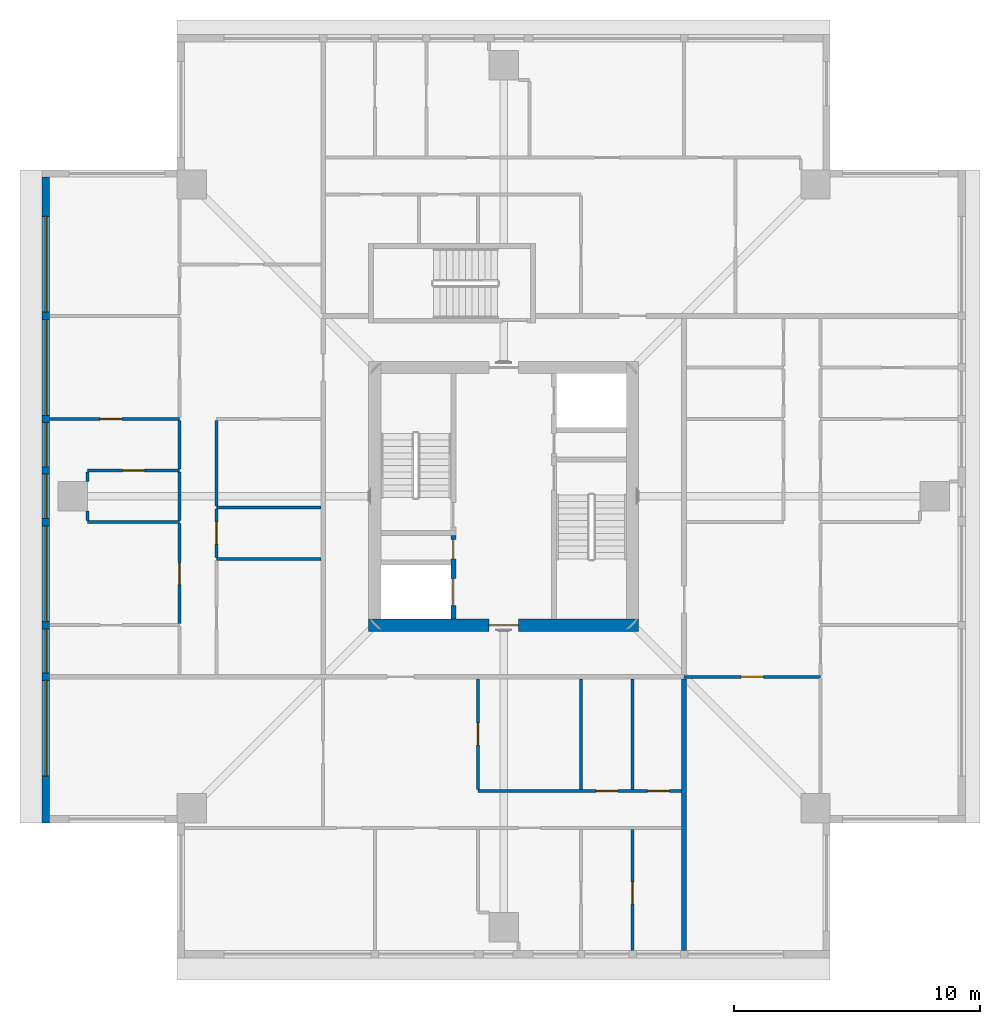
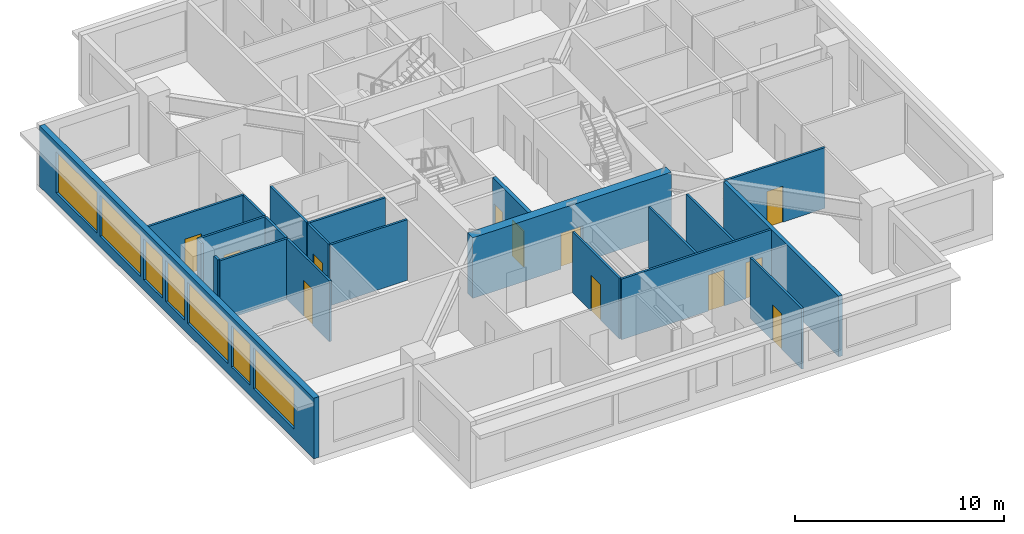
# One storey, part 5 of 11: 22 walls, 12 doors, 7 windows, 19 openings.
"""IFC4 building model written with IfcOpenShell, lengths in metres."""

import ifcopenshell
import ifcopenshell.guid

model = None  # the IFC model being written
_history = None  # IfcOwnerHistory: only IFC2X3 demands one
_inside = {}  # id of a spatial element -> (the spatial element, [elements in it])
_under = {}  # id of a project, library or spatial element -> (it, [spatial elements below it])
_declared = {}  # id of a project -> (the project, [libraries it declares])
_typed = {}  # id of a type object -> (the type object, [elements of that type])
_made_of = {}  # id of a material, layer set ... -> (it, [elements and type objects made of it])


def new_model(schema):
    """Start an empty IFC model of exactly this schema.

    Asked for "IFC4X3", IfcOpenShell would pick the latest addendum, in which some entities
    have other attributes; the version numbers below select the first issue.
    IFC2X3 requires an IfcOwnerHistory on every rooted entity: one is made here for all.
    """
    global model, _history
    if schema == "IFC4X3":
        model = ifcopenshell.file(schema_version=(4, 3, 0, 0))
    else:
        model = ifcopenshell.file(schema=schema)
    _inside.clear()
    _under.clear()
    _declared.clear()
    _typed.clear()
    _made_of.clear()
    _history = None
    if model.schema == "IFC2X3":
        org = make("IfcOrganization", Name="unknown")
        user = make(
            "IfcPersonAndOrganization",
            ThePerson=make("IfcPerson", FamilyName="unknown"),
            TheOrganization=org,
        )
        app = make(
            "IfcApplication",
            ApplicationDeveloper=org,
            Version="unknown",
            ApplicationFullName="unknown",
            ApplicationIdentifier="unknown",
        )
        _history = make(
            "IfcOwnerHistory",
            OwningUser=user,
            OwningApplication=app,
            ChangeAction="ADDED",
            CreationDate=0,
        )
    return model


def make(cls, **values):
    """One entity of the class cls with the attributes given. An attribute that is None is left unset."""
    return model.create_entity(
        cls, **{name: value for name, value in values.items() if value is not None}
    )


def rooted(cls, **values):
    """An entity with a GlobalId (a new one), such as an element, a storey or a relation."""
    return make(cls, GlobalId=ifcopenshell.guid.new(), OwnerHistory=_history, **values)


def si_unit(unit_type, name, prefix=None):
    """IfcSIUnit, for example si_unit("LENGTHUNIT", "METRE", prefix="MILLI")."""
    return make("IfcSIUnit", UnitType=unit_type, Prefix=prefix, Name=name)


def assignment(units):
    """IfcUnitAssignment: the units of a project."""
    return None if units is None else make("IfcUnitAssignment", Units=units)


def point(xyz):
    """IfcCartesianPoint."""
    return None if xyz is None else make("IfcCartesianPoint", Coordinates=xyz)


def direction(xyz):
    """IfcDirection."""
    return None if xyz is None else make("IfcDirection", DirectionRatios=xyz)


def frame(location, z_axis=None, x_axis=None):
    """IfcAxis2Placement3D, a coordinate frame: its origin and axes. An axis left out is left unset."""
    return make(
        "IfcAxis2Placement3D",
        Location=point(location),
        Axis=direction(z_axis),
        RefDirection=direction(x_axis),
    )


def frame_2d(location, x_axis=None):
    """IfcAxis2Placement2D, a coordinate frame in the plane: its origin and x axis."""
    return make(
        "IfcAxis2Placement2D", Location=point(location), RefDirection=direction(x_axis)
    )


def origin():
    """The frame at (0, 0, 0) with its axes left unset."""
    return frame((0.0, 0.0, 0.0))


def place(relative_to, where):
    """IfcLocalPlacement: puts the frame where relative to a parent placement (None: the world)."""
    return make(
        "IfcLocalPlacement", PlacementRelTo=relative_to, RelativePlacement=where
    )


def context(
    kind, dimensions, precision=None, world=None, true_north=None, identifier=None
):
    """IfcGeometricRepresentationContext, for example the 3D "Model" context."""
    return make(
        "IfcGeometricRepresentationContext",
        ContextIdentifier=identifier,
        ContextType=kind,
        CoordinateSpaceDimension=dimensions,
        Precision=precision,
        WorldCoordinateSystem=world,
        TrueNorth=true_north,
    )


def subcontext(parent, identifier, kind, view, scale=None):
    """IfcGeometricRepresentationSubContext, for example "Body" below "Model"."""
    return make(
        "IfcGeometricRepresentationSubContext",
        ContextIdentifier=identifier,
        ContextType=kind,
        ParentContext=parent,
        TargetScale=scale,
        TargetView=view,
    )


def project(units=None, contexts=None):
    """IfcProject with its units and contexts."""
    return rooted(
        "IfcProject",
        Name="project",
        RepresentationContexts=contexts,
        UnitsInContext=assignment(units),
    )


def spatial(cls, under=None, at=None, **own):
    """A site, building, storey or space (cls), placed at a placement, below another one or the project."""
    s = rooted(cls, ObjectPlacement=at, **own)
    if under is not None:
        _under.setdefault(under.id(), (under, []))[1].append(s)
    return s


def profile(cls, at=None, kind="AREA", **sizes):
    """A parametric profile (cls). Its sizes go by their IFC names, for example OverallWidth=200.0."""
    return make(cls, ProfileType=kind, Position=at, **sizes)


def rectangle(**sizes):
    """IfcRectangleProfileDef."""
    return profile("IfcRectangleProfileDef", **sizes)


def extrude(swept, where, along, depth):
    """IfcExtrudedAreaSolid: the profile swept, set in the frame where, extruded along a direction by depth."""
    return make(
        "IfcExtrudedAreaSolid",
        SweptArea=swept,
        Position=where,
        ExtrudedDirection=direction(along),
        Depth=depth,
    )


def shape(context_of_items, identifier, shape_type, items):
    """IfcShapeRepresentation: the items that make up one representation, for example the "Body"."""
    return make(
        "IfcShapeRepresentation",
        ContextOfItems=context_of_items,
        RepresentationIdentifier=identifier,
        RepresentationType=shape_type,
        Items=items,
    )


def material(Name=None, Category=None):
    """IfcMaterial."""
    return make("IfcMaterial", Name=Name, Category=Category)


def layer(
    of_material, thickness, ventilated=None, Name=None, Category=None, Priority=None
):
    """IfcMaterialLayer: one layer of a wall or slab, of a material (None: an air gap)."""
    return make(
        "IfcMaterialLayer",
        Material=of_material,
        LayerThickness=thickness,
        IsVentilated=ventilated,
        Name=Name,
        Category=Category,
        Priority=Priority,
    )


def layer_set(layers, Name=None):
    """IfcMaterialLayerSet."""
    return make("IfcMaterialLayerSet", MaterialLayers=layers, LayerSetName=Name)


def made_of(thing, what):
    """Note that an element or type object is made of a material, layer set ...; save() writes the relation."""
    if what is not None:
        _made_of.setdefault(what.id(), (what, []))[1].append(thing)
    return thing


def type_object(cls, material=None, **own):
    """A type object (cls), such as IfcWallType, which elements share."""
    return made_of(rooted(cls, **own), material)


def element(
    cls,
    number,
    at=None,
    inside=None,
    cuts=None,
    type_object=None,
    material=None,
    context=None,
    identifier="Body",
    shape_type=None,
    held_by="IfcProductDefinitionShape",
    body=None,
    shapes=None,
    **own,
):
    """One element of the class cls, such as IfcWall. Its Tag is "e" and its number.

    at: its placement. inside: the storey or other place that contains it. cuts: it is an
    opening in that element (IfcRelVoidsElement). A single representation is given by context,
    identifier, shape_type and body (its items); several are given by shapes. held_by: the class
    of the entity that holds the representations. save() writes the other relations.
    """
    e = rooted(cls, Tag="e%d" % number, ObjectPlacement=at, **own)
    if body is not None:
        shapes = [shape(context, identifier, shape_type, body)]
    if shapes is not None:
        e.Representation = make(held_by, Representations=shapes)
    if inside is not None:
        _inside.setdefault(inside.id(), (inside, []))[1].append(e)
    if cuts is not None:
        rooted(
            "IfcRelVoidsElement", RelatingBuildingElement=cuts, RelatedOpeningElement=e
        )
    if type_object is not None:
        _typed.setdefault(type_object.id(), (type_object, []))[1].append(e)
    return made_of(e, material)


def fill(opening, filler):
    """IfcRelFillsElement: the door or window that sits in an opening."""
    return rooted(
        "IfcRelFillsElement",
        RelatingOpeningElement=opening,
        RelatedBuildingElement=filler,
    )


def aggregate(whole, parts):
    """IfcRelAggregates: a whole, such as a stair, and the parts it consists of."""
    return rooted("IfcRelAggregates", RelatingObject=whole, RelatedObjects=parts)


def save(model, path):
    """Write the relations noted so far, then the file.

    IfcRelAggregates (storeys below a building ...), IfcRelContainedInSpatialStructure (elements
    in a storey), IfcRelDefinesByType, IfcRelAssociatesMaterial and IfcRelDeclares: one each for
    every whole, place, type object, material and project.
    """
    for whole, parts in _under.values():
        aggregate(whole, parts)
    for where, things in _inside.values():
        rooted(
            "IfcRelContainedInSpatialStructure",
            RelatedElements=things,
            RelatingStructure=where,
        )
    for kind, things in _typed.values():
        rooted("IfcRelDefinesByType", RelatedObjects=things, RelatingType=kind)
    for what, things in _made_of.values():
        rooted("IfcRelAssociatesMaterial", RelatedObjects=things, RelatingMaterial=what)
    for by, libraries in _declared.values():
        rooted("IfcRelDeclares", RelatingContext=by, RelatedDefinitions=libraries)
    model.write(path)


model = new_model("IFC4")

# Units and contexts
model_context = context("Model", 3, precision=1e-05, world=origin(), true_north=direction((0.0, 1.0)))
body_context = subcontext(model_context, "Body", "Model", "MODEL_VIEW")
ifc_project = project(units=[si_unit("LENGTHUNIT", "METRE"), si_unit("AREAUNIT", "SQUARE_METRE"), si_unit("VOLUMEUNIT", "CUBIC_METRE"), si_unit("PLANEANGLEUNIT", "RADIAN"), si_unit("MASSUNIT", "GRAM", prefix="KILO")], contexts=[model_context])

# Site, building, storey
site_placement = place(None, origin())
site = spatial("IfcSite", under=ifc_project, at=site_placement, CompositionType="ELEMENT")
building_placement = place(site_placement, origin())
building = spatial("IfcBuilding", under=site, at=building_placement, Name="Khepri Terraces", CompositionType="ELEMENT")
storey_placement = place(building_placement, frame((0.0, 0.0, 308.39990234375)))
storey = spatial("IfcBuildingStorey", under=building, at=storey_placement, Name="L74", CompositionType="ELEMENT", Elevation=308.39990234375)

# Wall, openings, doors
ifc_material_1 = material(Name="Concrete C40/50", Category="concrete")
ifc_layer_1 = layer(ifc_material_1, 0.199951171875, Name="Concrete C40/50", Category="concrete")
ifc_layer_set_1 = layer_set([ifc_layer_1], Name="Concrete C40/50")
wall_type_1 = type_object("IfcWallType", Name="Core wall 200 C40/50", PredefinedType="SHEAR", material=ifc_layer_set_1)
wall_1_placement = place(storey_placement, frame((-2.050048828125, -5.0, 0.0), z_axis=(0.0, 0.0, 1.0), x_axis=(0.0, 1.0, 0.0)))
wall_1 = element("IfcWall", 1, at=wall_1_placement, inside=storey, type_object=wall_type_1, Name="Core wall SH01 L74", PredefinedType="SHEAR", context=body_context, shape_type="SweptSolid", body=[
    extrude(rectangle(XDim=3.39990234375, YDim=0.199951171875, at=frame_2d((1.699951171875, 0.0))), origin(), (0.0, 0.0, 1.0), 3.550048828125),
])
opening_1_placement = place(wall_1_placement, frame((0.550048828125, 0.0, 0.0)))
opening_1 = element("IfcOpeningElement", 2, at=opening_1_placement, cuts=wall_1, Name="Opening L74-C02", PredefinedType="OPENING", context=body_context, shape_type="SweptSolid", body=[
    extrude(rectangle(XDim=1.10009765625, YDim=2.10009765625, at=frame_2d((0.550048828125, 1.050048828125))), frame((0.0, 0.10986328125, 0.0), z_axis=(0.0, -1.0, 0.0), x_axis=(1.0, 0.0, 0.0)), (0.0, 0.0, 1.0), 0.219970703125),
])
opening_2_placement = place(wall_1_placement, frame((2.449951171875, 0.0, 0.0)))
opening_2 = element("IfcOpeningElement", 3, at=opening_2_placement, cuts=wall_1, Name="Opening L74-C06", PredefinedType="OPENING", context=body_context, shape_type="SweptSolid", body=[
    extrude(rectangle(XDim=0.800048828125, YDim=2.10009765625, at=frame_2d((0.39990234375, 1.050048828125))), frame((0.0, 0.10986328125, 0.0), z_axis=(0.0, -1.0, 0.0), x_axis=(1.0, 0.0, 0.0)), (0.0, 0.0, 1.0), 0.219970703125),
])
ifc_material_2 = material(Name="Stainless steel 304", Category="steel")
door_type_1 = type_object("IfcDoorType", Name="DR-CORE-FF-LANDING-1100", OperationType="NOTDEFINED", PredefinedType="DOOR", material=ifc_material_2)
door_1_placement = place(opening_1_placement, origin())
door_1 = element("IfcDoor", 4, at=door_1_placement, inside=storey, type_object=door_type_1, Name="Firefighting lift landing door L74-C02", OperationType="SLIDING_TO_LEFT", OverallHeight=2.10009765625, OverallWidth=1.10009765625, PredefinedType="DOOR", context=body_context, shape_type="SweptSolid", body=[
    extrude(rectangle(XDim=1.10009765625, YDim=2.10009765625, at=frame_2d((0.550048828125, 1.050048828125))), frame((0.0, 0.02490234375, 0.0), z_axis=(0.0, -1.0, 0.0), x_axis=(1.0, 0.0, 0.0)), (0.0, 0.0, 1.0), 0.050048828125),
])
fill(opening_1, door_1)
ifc_material_3 = material(Name="Painted steel", Category="steel")
door_type_2 = type_object("IfcDoorType", Name="DR-CORE-RISER-800", OperationType="NOTDEFINED", PredefinedType="DOOR", material=ifc_material_3)
door_2_placement = place(opening_2_placement, origin())
door_2 = element("IfcDoor", 5, at=door_2_placement, inside=storey, type_object=door_type_2, Name="Riser door L74-C06", OperationType="SINGLE_SWING_RIGHT", OverallHeight=2.10009765625, OverallWidth=0.800048828125, PredefinedType="DOOR", context=body_context, shape_type="SweptSolid", body=[
    extrude(rectangle(XDim=0.800048828125, YDim=2.10009765625, at=frame_2d((0.39990234375, 1.050048828125))), frame((0.0, 0.02490234375, 0.0), z_axis=(0.0, -1.0, 0.0), x_axis=(1.0, 0.0, 0.0)), (0.0, 0.0, 1.0), 0.050048828125),
])
fill(opening_2, door_2)

# Wall, opening, door
ifc_layer_2 = layer(ifc_material_1, 0.5, Name="Concrete C40/50", Category="concrete")
ifc_layer_set_2 = layer_set([ifc_layer_2], Name="Concrete C40/50")
wall_type_2 = type_object("IfcWallType", Name="Core wall 500 C40/50", PredefinedType="SHEAR", material=ifc_layer_set_2)
wall_2_placement = place(storey_placement, frame((-5.5, -5.25, 0.0), z_axis=(0.0, 0.0, 1.0), x_axis=(1.0, 0.0, 0.0)))
wall_2 = element("IfcWall", 6, at=wall_2_placement, inside=storey, type_object=wall_type_2, Name="Core wall BX01 L74", PredefinedType="SHEAR", context=body_context, shape_type="SweptSolid", body=[
    extrude(rectangle(XDim=11.0, YDim=0.5, at=frame_2d((5.5, 0.0))), origin(), (0.0, 0.0, 1.0), 3.550048828125),
])
opening_3_placement = place(wall_2_placement, frame((4.89990234375, 0.0, 0.0)))
opening_3 = element("IfcOpeningElement", 7, at=opening_3_placement, cuts=wall_2, Name="Opening L74-C09", PredefinedType="OPENING", context=body_context, shape_type="SweptSolid", body=[
    extrude(rectangle(XDim=1.199951171875, YDim=2.10009765625, at=frame_2d((0.60009765625, 1.050048828125))), frame((0.0, 0.260009765625, 0.0), z_axis=(0.0, -1.0, 0.0), x_axis=(1.0, 0.0, 0.0)), (0.0, 0.0, 1.0), 0.52001953125),
])
door_type_3 = type_object("IfcDoorType", Name="DR-CORE-FF-LOBBY-1200", OperationType="NOTDEFINED", PredefinedType="DOOR", material=ifc_material_3)
door_3_placement = place(opening_3_placement, frame((1.199951171875, 0.0, 0.0), z_axis=(0.0, 0.0, 1.0), x_axis=(-1.0, 0.0, 0.0)))
door_3 = element("IfcDoor", 8, at=door_3_placement, inside=storey, type_object=door_type_3, Name="Firefighting lobby door L74-C09", OperationType="SINGLE_SWING_LEFT", OverallHeight=2.10009765625, OverallWidth=1.199951171875, PredefinedType="DOOR", context=body_context, shape_type="SweptSolid", body=[
    extrude(rectangle(XDim=1.199951171875, YDim=2.10009765625, at=frame_2d((0.60009765625, 1.050048828125))), frame((0.0, 0.02490234375, 0.0), z_axis=(0.0, -1.0, 0.0), x_axis=(1.0, 0.0, 0.0)), (0.0, 0.0, 1.0), 0.050048828125),
])
fill(opening_3, door_3)

# Wall
ifc_material_4 = material(Name="Fire-rated gypsum plasterboard partition, mineral wool")
ifc_layer_3 = layer(ifc_material_4, 0.199951171875, Name="Fire-rated gypsum plasterboard partition, mineral wool")
ifc_layer_set_3 = layer_set([ifc_layer_3], Name="Fire-rated gypsum plasterboard partition, mineral wool")
wall_type_3 = type_object("IfcWallType", Name="WL-CORR-200", PredefinedType="PARTITIONING", material=ifc_layer_set_3)
wall_3_placement = place(storey_placement, frame((7.35009765625, -18.5, 0.0), z_axis=(0.0, 0.0, 1.0), x_axis=(0.0, 1.0, 0.0)))
element("IfcWall", 9, at=wall_3_placement, inside=storey, type_object=wall_type_3, Name="Partition P-005 L74", PredefinedType="PARTITIONING", context=body_context, shape_type="SweptSolid", body=[
    extrude(rectangle(XDim=11.050048828125, YDim=0.199951171875, at=frame_2d((5.52490234375, 0.0))), origin(), (0.0, 0.0, 1.0), 3.550048828125),
])

# Wall, openings, windows
ifc_material_5 = material(Name="Precast concrete C50/60 warm stone", Category="masonry")
ifc_layer_4 = layer(ifc_material_5, 0.300048828125, Name="Precast concrete C50/60 warm stone", Category="masonry")
ifc_layer_set_4 = layer_set([ifc_layer_4], Name="Precast concrete C50/60 warm stone")
wall_type_4 = type_object("IfcWallType", Name="WL-EXT-PRECAST-300", PredefinedType="STANDARD", material=ifc_layer_set_4)
wall_4_placement = place(storey_placement, frame((-18.64990234375, 13.0, 0.0), z_axis=(0.0, 0.0, 1.0), x_axis=(0.0, -1.0, 0.0)))
wall_4 = element("IfcWall", 10, at=wall_4_placement, inside=storey, type_object=wall_type_4, Name="External wall L74 W", PredefinedType="STANDARD", context=body_context, shape_type="SweptSolid", body=[
    extrude(rectangle(XDim=26.300048828125, YDim=0.300048828125, at=frame_2d((13.14990234375, 0.0))), origin(), (0.0, 0.0, 1.0), 3.550048828125),
])
opening_4_placement = place(wall_4_placement, frame((1.60009765625, 0.0, 0.60009765625)))
opening_4 = element("IfcOpeningElement", 11, at=opening_4_placement, cuts=wall_4, Name="Opening WC2", PredefinedType="OPENING", context=body_context, shape_type="SweptSolid", body=[
    extrude(rectangle(XDim=3.89990234375, YDim=2.39990234375, at=frame_2d((1.949951171875, 1.199951171875))), frame((0.0, 0.16015625, 0.0), z_axis=(0.0, -1.0, 0.0), x_axis=(1.0, 0.0, 0.0)), (0.0, 0.0, 1.0), 0.320068359375),
])
opening_5_placement = place(wall_4_placement, frame((5.800048828125, 0.0, 0.60009765625)))
opening_5 = element("IfcOpeningElement", 12, at=opening_5_placement, cuts=wall_4, Name="Opening WC2", PredefinedType="OPENING", context=body_context, shape_type="SweptSolid", body=[
    extrude(rectangle(XDim=3.89990234375, YDim=2.39990234375, at=frame_2d((1.949951171875, 1.199951171875))), frame((0.0, 0.16015625, 0.0), z_axis=(0.0, -1.0, 0.0), x_axis=(1.0, 0.0, 0.0)), (0.0, 0.0, 1.0), 0.320068359375),
])
opening_6_placement = place(wall_4_placement, frame((10.0, 0.0, 0.60009765625)))
opening_6 = element("IfcOpeningElement", 13, at=opening_6_placement, cuts=wall_4, Name="Opening WC1", PredefinedType="OPENING", context=body_context, shape_type="SweptSolid", body=[
    extrude(rectangle(XDim=1.800048828125, YDim=2.39990234375, at=frame_2d((0.89990234375, 1.199951171875))), frame((0.0, 0.16015625, 0.0), z_axis=(0.0, -1.0, 0.0), x_axis=(1.0, 0.0, 0.0)), (0.0, 0.0, 1.0), 0.320068359375),
])
opening_7_placement = place(wall_4_placement, frame((12.10009765625, 0.0, 0.60009765625)))
opening_7 = element("IfcOpeningElement", 14, at=opening_7_placement, cuts=wall_4, Name="Opening WC1", PredefinedType="OPENING", context=body_context, shape_type="SweptSolid", body=[
    extrude(rectangle(XDim=1.800048828125, YDim=2.39990234375, at=frame_2d((0.89990234375, 1.199951171875))), frame((0.0, 0.16015625, 0.0), z_axis=(0.0, -1.0, 0.0), x_axis=(1.0, 0.0, 0.0)), (0.0, 0.0, 1.0), 0.320068359375),
])
opening_8_placement = place(wall_4_placement, frame((14.199951171875, 0.0, 0.60009765625)))
opening_8 = element("IfcOpeningElement", 15, at=opening_8_placement, cuts=wall_4, Name="Opening WC2", PredefinedType="OPENING", context=body_context, shape_type="SweptSolid", body=[
    extrude(rectangle(XDim=3.89990234375, YDim=2.39990234375, at=frame_2d((1.949951171875, 1.199951171875))), frame((0.0, 0.16015625, 0.0), z_axis=(0.0, -1.0, 0.0), x_axis=(1.0, 0.0, 0.0)), (0.0, 0.0, 1.0), 0.320068359375),
])
opening_9_placement = place(wall_4_placement, frame((18.39990234375, 0.0, 0.60009765625)))
opening_9 = element("IfcOpeningElement", 16, at=opening_9_placement, cuts=wall_4, Name="Opening WC1", PredefinedType="OPENING", context=body_context, shape_type="SweptSolid", body=[
    extrude(rectangle(XDim=1.800048828125, YDim=2.39990234375, at=frame_2d((0.89990234375, 1.199951171875))), frame((0.0, 0.16015625, 0.0), z_axis=(0.0, -1.0, 0.0), x_axis=(1.0, 0.0, 0.0)), (0.0, 0.0, 1.0), 0.320068359375),
])
opening_10_placement = place(wall_4_placement, frame((20.5, 0.0, 0.60009765625)))
opening_10 = element("IfcOpeningElement", 17, at=opening_10_placement, cuts=wall_4, Name="Opening WC2", PredefinedType="OPENING", context=body_context, shape_type="SweptSolid", body=[
    extrude(rectangle(XDim=3.89990234375, YDim=2.39990234375, at=frame_2d((1.949951171875, 1.199951171875))), frame((0.0, 0.16015625, 0.0), z_axis=(0.0, -1.0, 0.0), x_axis=(1.0, 0.0, 0.0)), (0.0, 0.0, 1.0), 0.320068359375),
])
ifc_material_6 = material(Name="Clear glass", Category="glass")
window_type_1 = type_object("IfcWindowType", Name="WIN-CRN-1800x2400", PartitioningType="SINGLE_PANEL", PredefinedType="WINDOW", material=ifc_material_6)
window_1_placement = place(opening_6_placement, origin())
window_1 = element("IfcWindow", 18, at=window_1_placement, inside=storey, type_object=window_type_1, Name="Window L74 W", OverallHeight=2.39990234375, OverallWidth=1.800048828125, PartitioningType="SINGLE_PANEL", PredefinedType="WINDOW", context=body_context, shape_type="SweptSolid", body=[
    extrude(rectangle(XDim=1.800048828125, YDim=2.39990234375, at=frame_2d((0.89990234375, 1.199951171875))), frame((0.0, 0.030029296875, 0.0), z_axis=(0.0, -1.0, 0.0), x_axis=(1.0, 0.0, 0.0)), (0.0, 0.0, 1.0), 0.06005859375),
])
fill(opening_6, window_1)
window_2_placement = place(opening_7_placement, origin())
window_2 = element("IfcWindow", 19, at=window_2_placement, inside=storey, type_object=window_type_1, Name="Window L74 W", OverallHeight=2.39990234375, OverallWidth=1.800048828125, PartitioningType="SINGLE_PANEL", PredefinedType="WINDOW", context=body_context, shape_type="SweptSolid", body=[
    extrude(rectangle(XDim=1.800048828125, YDim=2.39990234375, at=frame_2d((0.89990234375, 1.199951171875))), frame((0.0, 0.030029296875, 0.0), z_axis=(0.0, -1.0, 0.0), x_axis=(1.0, 0.0, 0.0)), (0.0, 0.0, 1.0), 0.06005859375),
])
fill(opening_7, window_2)
window_3_placement = place(opening_9_placement, origin())
window_3 = element("IfcWindow", 20, at=window_3_placement, inside=storey, type_object=window_type_1, Name="Window L74 W", OverallHeight=2.39990234375, OverallWidth=1.800048828125, PartitioningType="SINGLE_PANEL", PredefinedType="WINDOW", context=body_context, shape_type="SweptSolid", body=[
    extrude(rectangle(XDim=1.800048828125, YDim=2.39990234375, at=frame_2d((0.89990234375, 1.199951171875))), frame((0.0, 0.030029296875, 0.0), z_axis=(0.0, -1.0, 0.0), x_axis=(1.0, 0.0, 0.0)), (0.0, 0.0, 1.0), 0.06005859375),
])
fill(opening_9, window_3)
window_type_2 = type_object("IfcWindowType", Name="WIN-CRN-3900x2400", PartitioningType="SINGLE_PANEL", PredefinedType="WINDOW", material=ifc_material_6)
window_4_placement = place(opening_4_placement, origin())
window_4 = element("IfcWindow", 21, at=window_4_placement, inside=storey, type_object=window_type_2, Name="Window L74 W", OverallHeight=2.39990234375, OverallWidth=3.89990234375, PartitioningType="SINGLE_PANEL", PredefinedType="WINDOW", context=body_context, shape_type="SweptSolid", body=[
    extrude(rectangle(XDim=3.89990234375, YDim=2.39990234375, at=frame_2d((1.949951171875, 1.199951171875))), frame((0.0, 0.030029296875, 0.0), z_axis=(0.0, -1.0, 0.0), x_axis=(1.0, 0.0, 0.0)), (0.0, 0.0, 1.0), 0.06005859375),
])
fill(opening_4, window_4)
window_5_placement = place(opening_5_placement, origin())
window_5 = element("IfcWindow", 22, at=window_5_placement, inside=storey, type_object=window_type_2, Name="Window L74 W", OverallHeight=2.39990234375, OverallWidth=3.89990234375, PartitioningType="SINGLE_PANEL", PredefinedType="WINDOW", context=body_context, shape_type="SweptSolid", body=[
    extrude(rectangle(XDim=3.89990234375, YDim=2.39990234375, at=frame_2d((1.949951171875, 1.199951171875))), frame((0.0, 0.030029296875, 0.0), z_axis=(0.0, -1.0, 0.0), x_axis=(1.0, 0.0, 0.0)), (0.0, 0.0, 1.0), 0.06005859375),
])
fill(opening_5, window_5)
window_6_placement = place(opening_8_placement, origin())
window_6 = element("IfcWindow", 23, at=window_6_placement, inside=storey, type_object=window_type_2, Name="Window L74 W", OverallHeight=2.39990234375, OverallWidth=3.89990234375, PartitioningType="SINGLE_PANEL", PredefinedType="WINDOW", context=body_context, shape_type="SweptSolid", body=[
    extrude(rectangle(XDim=3.89990234375, YDim=2.39990234375, at=frame_2d((1.949951171875, 1.199951171875))), frame((0.0, 0.030029296875, 0.0), z_axis=(0.0, -1.0, 0.0), x_axis=(1.0, 0.0, 0.0)), (0.0, 0.0, 1.0), 0.06005859375),
])
fill(opening_8, window_6)
window_7_placement = place(opening_10_placement, origin())
window_7 = element("IfcWindow", 24, at=window_7_placement, inside=storey, type_object=window_type_2, Name="Window L74 W", OverallHeight=2.39990234375, OverallWidth=3.89990234375, PartitioningType="SINGLE_PANEL", PredefinedType="WINDOW", context=body_context, shape_type="SweptSolid", body=[
    extrude(rectangle(XDim=3.89990234375, YDim=2.39990234375, at=frame_2d((1.949951171875, 1.199951171875))), frame((0.0, 0.030029296875, 0.0), z_axis=(0.0, -1.0, 0.0), x_axis=(1.0, 0.0, 0.0)), (0.0, 0.0, 1.0), 0.06005859375),
])
fill(opening_10, window_7)

# Wall, opening, door
ifc_material_7 = material(Name="Gypsum plasterboard partition")
ifc_layer_5 = layer(ifc_material_7, 0.1201171875, Name="Gypsum plasterboard partition")
ifc_layer_set_5 = layer_set([ifc_layer_5], Name="Gypsum plasterboard partition")
wall_type_5 = type_object("IfcWallType", Name="WL-PART-120", PredefinedType="PARTITIONING", material=ifc_layer_set_5)
wall_5_placement = place(storey_placement, frame((5.25, -18.5, 0.0), z_axis=(0.0, 0.0, 1.0), x_axis=(0.0, 1.0, 0.0)))
wall_5 = element("IfcWall", 25, at=wall_5_placement, inside=storey, type_object=wall_type_5, Name="Partition P-004 L74", PredefinedType="PARTITIONING", context=body_context, shape_type="SweptSolid", body=[
    extrude(rectangle(XDim=4.93994140625, YDim=0.1201171875, at=frame_2d((2.469970703125, 0.0))), origin(), (0.0, 0.0, 1.0), 3.550048828125),
])
opening_11_placement = place(wall_5_placement, frame((1.89990234375, 0.0, 0.0)))
opening_11 = element("IfcOpeningElement", 26, at=opening_11_placement, cuts=wall_5, Name="Opening D4", PredefinedType="OPENING", context=body_context, shape_type="SweptSolid", body=[
    extrude(rectangle(XDim=0.89990234375, YDim=2.10009765625, at=frame_2d((0.449951171875, 1.050048828125))), frame((0.0, 0.070068359375, 0.0), z_axis=(0.0, -1.0, 0.0), x_axis=(1.0, 0.0, 0.0)), (0.0, 0.0, 1.0), 0.14013671875),
])
ifc_material_8 = material(Name="Timber door leaf, moisture resistant", Category="wood")
door_type_4 = type_object("IfcDoorType", Name="DR-WET-900", OperationType="NOTDEFINED", PredefinedType="DOOR", material=ifc_material_8)
door_4_placement = place(opening_11_placement, frame((0.89990234375, 0.0, 0.0), z_axis=(0.0, 0.0, 1.0), x_axis=(-1.0, 0.0, 0.0)))
door_4 = element("IfcDoor", 27, at=door_4_placement, inside=storey, type_object=door_type_4, Name="Door Bathroom", OperationType="SINGLE_SWING_RIGHT", OverallHeight=2.10009765625, OverallWidth=0.89990234375, PredefinedType="DOOR", context=body_context, shape_type="SweptSolid", body=[
    extrude(rectangle(XDim=0.89990234375, YDim=2.10009765625, at=frame_2d((0.449951171875, 1.050048828125))), frame((0.0, 0.02490234375, 0.0), z_axis=(0.0, -1.0, 0.0), x_axis=(1.0, 0.0, 0.0)), (0.0, 0.0, 1.0), 0.050048828125),
])
fill(opening_11, door_4)

# Wall, openings, doors
wall_6_placement = place(storey_placement, frame((-1.050048828125, -12.0, 0.0), z_axis=(0.0, 0.0, 1.0), x_axis=(1.0, 0.0, 0.0)))
wall_6 = element("IfcWall", 28, at=wall_6_placement, inside=storey, type_object=wall_type_5, Name="Partition P-011 L74", PredefinedType="PARTITIONING", context=body_context, shape_type="SweptSolid", body=[
    extrude(rectangle(XDim=8.300048828125, YDim=0.1201171875, at=frame_2d((4.14990234375, 0.0))), origin(), (0.0, 0.0, 1.0), 3.550048828125),
])
opening_12_placement = place(wall_6_placement, frame((4.800048828125, 0.0, 0.0)))
opening_12 = element("IfcOpeningElement", 29, at=opening_12_placement, cuts=wall_6, Name="Opening D4", PredefinedType="OPENING", context=body_context, shape_type="SweptSolid", body=[
    extrude(rectangle(XDim=0.89990234375, YDim=2.10009765625, at=frame_2d((0.449951171875, 1.050048828125))), frame((0.0, 0.070068359375, 0.0), z_axis=(0.0, -1.0, 0.0), x_axis=(1.0, 0.0, 0.0)), (0.0, 0.0, 1.0), 0.14013671875),
])
opening_13_placement = place(wall_6_placement, frame((6.89990234375, 0.0, 0.0)))
opening_13 = element("IfcOpeningElement", 30, at=opening_13_placement, cuts=wall_6, Name="Opening D4", PredefinedType="OPENING", context=body_context, shape_type="SweptSolid", body=[
    extrude(rectangle(XDim=0.89990234375, YDim=2.10009765625, at=frame_2d((0.449951171875, 1.050048828125))), frame((0.0, 0.070068359375, 0.0), z_axis=(0.0, -1.0, 0.0), x_axis=(1.0, 0.0, 0.0)), (0.0, 0.0, 1.0), 0.14013671875),
])
door_5_placement = place(opening_12_placement, origin())
door_5 = element("IfcDoor", 31, at=door_5_placement, inside=storey, type_object=door_type_4, Name="Door Guest Bathroom", OperationType="SINGLE_SWING_RIGHT", OverallHeight=2.10009765625, OverallWidth=0.89990234375, PredefinedType="DOOR", context=body_context, shape_type="SweptSolid", body=[
    extrude(rectangle(XDim=0.89990234375, YDim=2.10009765625, at=frame_2d((0.449951171875, 1.050048828125))), frame((0.0, 0.02490234375, 0.0), z_axis=(0.0, -1.0, 0.0), x_axis=(1.0, 0.0, 0.0)), (0.0, 0.0, 1.0), 0.050048828125),
])
fill(opening_12, door_5)
door_6_placement = place(opening_13_placement, origin())
door_6 = element("IfcDoor", 32, at=door_6_placement, inside=storey, type_object=door_type_4, Name="Door Powder Room", OperationType="SINGLE_SWING_RIGHT", OverallHeight=2.10009765625, OverallWidth=0.89990234375, PredefinedType="DOOR", context=body_context, shape_type="SweptSolid", body=[
    extrude(rectangle(XDim=0.89990234375, YDim=2.10009765625, at=frame_2d((0.449951171875, 1.050048828125))), frame((0.0, 0.02490234375, 0.0), z_axis=(0.0, -1.0, 0.0), x_axis=(1.0, 0.0, 0.0)), (0.0, 0.0, 1.0), 0.050048828125),
])
fill(opening_13, door_6)

# Wall, opening, door
wall_7_placement = place(storey_placement, frame((-1.050048828125, -11.93994140625, 0.0), z_axis=(0.0, 0.0, 1.0), x_axis=(0.0, 1.0, 0.0)))
wall_7 = element("IfcWall", 33, at=wall_7_placement, inside=storey, type_object=wall_type_5, Name="Partition P-012 L74", PredefinedType="PARTITIONING", context=body_context, shape_type="SweptSolid", body=[
    extrude(rectangle(XDim=4.489990234375, YDim=0.1201171875, at=frame_2d((2.2451171875, 0.0))), origin(), (0.0, 0.0, 1.0), 3.550048828125),
])
opening_14_placement = place(wall_7_placement, frame((1.81494140625, 0.0, 0.0)))
opening_14 = element("IfcOpeningElement", 34, at=opening_14_placement, cuts=wall_7, Name="Opening D3", PredefinedType="OPENING", context=body_context, shape_type="SweptSolid", body=[
    extrude(rectangle(XDim=0.89990234375, YDim=2.10009765625, at=frame_2d((0.449951171875, 1.050048828125))), frame((0.0, 0.070068359375, 0.0), z_axis=(0.0, -1.0, 0.0), x_axis=(1.0, 0.0, 0.0)), (0.0, 0.0, 1.0), 0.14013671875),
])
ifc_material_9 = material(Name="Timber door leaf", Category="wood")
door_type_5 = type_object("IfcDoorType", Name="DR-INT-900", OperationType="NOTDEFINED", PredefinedType="DOOR", material=ifc_material_9)
door_7_placement = place(opening_14_placement, frame((0.89990234375, 0.0, 0.0), z_axis=(0.0, 0.0, 1.0), x_axis=(-1.0, 0.0, 0.0)))
door_7 = element("IfcDoor", 35, at=door_7_placement, inside=storey, type_object=door_type_5, Name="Door Kitchen", OperationType="SINGLE_SWING_LEFT", OverallHeight=2.10009765625, OverallWidth=0.89990234375, PredefinedType="DOOR", context=body_context, shape_type="SweptSolid", body=[
    extrude(rectangle(XDim=0.89990234375, YDim=2.10009765625, at=frame_2d((0.449951171875, 1.050048828125))), frame((0.0, 0.02490234375, 0.0), z_axis=(0.0, -1.0, 0.0), x_axis=(1.0, 0.0, 0.0)), (0.0, 0.0, 1.0), 0.050048828125),
])
fill(opening_14, door_7)

# Walls
for number, where, z_axis, x_axis, name in (
    (36, (3.14990234375, -11.93994140625, 0.0), (0.0, 0.0, 1.0), (0.0, 1.0, 0.0), "Partition P-013 L74"),
    (37, (5.25, -11.93994140625, 0.0), (0.0, 0.0, 1.0), (0.0, 1.0, 0.0), "Partition P-014 L74"),
):
    element("IfcWall", number, at=place(storey_placement, frame(where, z_axis=z_axis, x_axis=x_axis)), inside=storey, type_object=wall_type_5, Name=name, PredefinedType="PARTITIONING", context=body_context, shape_type="SweptSolid", body=[
        extrude(rectangle(XDim=4.489990234375, YDim=0.1201171875, at=frame_2d((2.2451171875, 0.0))), origin(), (0.0, 0.0, 1.0), 3.550048828125),
    ])

# Wall, opening, door
wall_8_placement = place(storey_placement, frame((7.35009765625, -7.35009765625, 0.0), z_axis=(0.0, 0.0, 1.0), x_axis=(1.0, 0.0, 0.0)))
wall_8 = element("IfcWall", 38, at=wall_8_placement, inside=storey, type_object=wall_type_5, Name="Partition P-016 L74", PredefinedType="PARTITIONING", context=body_context, shape_type="SweptSolid", body=[
    extrude(rectangle(XDim=5.5498046875, YDim=0.1201171875, at=frame_2d((2.77490234375, 0.0))), origin(), (0.0, 0.0, 1.0), 3.550048828125),
])
opening_15_placement = place(wall_8_placement, frame((2.324951171875, 0.0, 0.0)))
opening_15 = element("IfcOpeningElement", 39, at=opening_15_placement, cuts=wall_8, Name="Opening D3", PredefinedType="OPENING", context=body_context, shape_type="SweptSolid", body=[
    extrude(rectangle(XDim=0.89990234375, YDim=2.10009765625, at=frame_2d((0.449951171875, 1.050048828125))), frame((0.0, 0.070068359375, 0.0), z_axis=(0.0, -1.0, 0.0), x_axis=(1.0, 0.0, 0.0)), (0.0, 0.0, 1.0), 0.14013671875),
])
door_8_placement = place(opening_15_placement, frame((0.89990234375, 0.0, 0.0), z_axis=(0.0, 0.0, 1.0), x_axis=(-1.0, 0.0, 0.0)))
door_8 = element("IfcDoor", 40, at=door_8_placement, inside=storey, type_object=door_type_5, Name="Door Home Gym", OperationType="SINGLE_SWING_LEFT", OverallHeight=2.10009765625, OverallWidth=0.89990234375, PredefinedType="DOOR", context=body_context, shape_type="SweptSolid", body=[
    extrude(rectangle(XDim=0.89990234375, YDim=2.10009765625, at=frame_2d((0.449951171875, 1.050048828125))), frame((0.0, 0.02490234375, 0.0), z_axis=(0.0, -1.0, 0.0), x_axis=(1.0, 0.0, 0.0)), (0.0, 0.0, 1.0), 0.050048828125),
])
fill(opening_15, door_8)

wall_9_placement = place(storey_placement, frame((-13.199951171875, -5.18994140625, 0.0), z_axis=(0.0, 0.0, 1.0), x_axis=(0.0, 1.0, 0.0)))
wall_9 = element("IfcWall", 41, at=wall_9_placement, inside=storey, type_object=wall_type_5, Name="Partition P-024 L74", PredefinedType="PARTITIONING", context=body_context, shape_type="SweptSolid", body=[
    extrude(rectangle(XDim=4.079833984375, YDim=0.1201171875, at=frame_2d((2.0400390625, 0.0))), origin(), (0.0, 0.0, 1.0), 3.550048828125),
])
opening_16_placement = place(wall_9_placement, frame((1.590087890625, 0.0, 0.0)))
opening_16 = element("IfcOpeningElement", 42, at=opening_16_placement, cuts=wall_9, Name="Opening D3", PredefinedType="OPENING", context=body_context, shape_type="SweptSolid", body=[
    extrude(rectangle(XDim=0.89990234375, YDim=2.10009765625, at=frame_2d((0.449951171875, 1.050048828125))), frame((0.0, 0.070068359375, 0.0), z_axis=(0.0, -1.0, 0.0), x_axis=(1.0, 0.0, 0.0)), (0.0, 0.0, 1.0), 0.14013671875),
])
door_9_placement = place(opening_16_placement, origin())
door_9 = element("IfcDoor", 43, at=door_9_placement, inside=storey, type_object=door_type_5, Name="Door Bedroom", OperationType="SINGLE_SWING_RIGHT", OverallHeight=2.10009765625, OverallWidth=0.89990234375, PredefinedType="DOOR", context=body_context, shape_type="SweptSolid", body=[
    extrude(rectangle(XDim=0.89990234375, YDim=2.10009765625, at=frame_2d((0.449951171875, 1.050048828125))), frame((0.0, 0.02490234375, 0.0), z_axis=(0.0, -1.0, 0.0), x_axis=(1.0, 0.0, 0.0)), (0.0, 0.0, 1.0), 0.050048828125),
])
fill(opening_16, door_9)

# Wall
wall_10_placement = place(storey_placement, frame((-11.699951171875, -2.550048828125, 0.0), z_axis=(0.0, 0.0, 1.0), x_axis=(1.0, 0.0, 0.0)))
element("IfcWall", 44, at=wall_10_placement, inside=storey, type_object=wall_type_5, Name="Partition P-026 L74", PredefinedType="PARTITIONING", context=body_context, shape_type="SweptSolid", body=[
    extrude(rectangle(XDim=4.25, YDim=0.1201171875, at=frame_2d((2.125, 0.0))), origin(), (0.0, 0.0, 1.0), 3.550048828125),
])

# Wall, opening, door
wall_11_placement = place(storey_placement, frame((-11.699951171875, -2.489990234375, 0.0), z_axis=(0.0, 0.0, 1.0), x_axis=(0.0, 1.0, 0.0)))
wall_11 = element("IfcWall", 45, at=wall_11_placement, inside=storey, type_object=wall_type_5, Name="Partition P-027 L74", PredefinedType="PARTITIONING", context=body_context, shape_type="SweptSolid", body=[
    extrude(rectangle(XDim=1.97998046875, YDim=0.1201171875, at=frame_2d((0.989990234375, 0.0))), origin(), (0.0, 0.0, 1.0), 3.550048828125),
])
opening_17_placement = place(wall_11_placement, frame((0.5400390625, 0.0, 0.0)))
opening_17 = element("IfcOpeningElement", 46, at=opening_17_placement, cuts=wall_11, Name="Opening D4", PredefinedType="OPENING", context=body_context, shape_type="SweptSolid", body=[
    extrude(rectangle(XDim=0.89990234375, YDim=2.10009765625, at=frame_2d((0.449951171875, 1.050048828125))), frame((0.0, 0.070068359375, 0.0), z_axis=(0.0, -1.0, 0.0), x_axis=(1.0, 0.0, 0.0)), (0.0, 0.0, 1.0), 0.14013671875),
])
door_10_placement = place(opening_17_placement, frame((0.89990234375, 0.0, 0.0), z_axis=(0.0, 0.0, 1.0), x_axis=(-1.0, 0.0, 0.0)))
door_10 = element("IfcDoor", 47, at=door_10_placement, inside=storey, type_object=door_type_4, Name="Door Guest Bathroom", OperationType="SINGLE_SWING_LEFT", OverallHeight=2.10009765625, OverallWidth=0.89990234375, PredefinedType="DOOR", context=body_context, shape_type="SweptSolid", body=[
    extrude(rectangle(XDim=0.89990234375, YDim=2.10009765625, at=frame_2d((0.449951171875, 1.050048828125))), frame((0.0, 0.02490234375, 0.0), z_axis=(0.0, -1.0, 0.0), x_axis=(1.0, 0.0, 0.0)), (0.0, 0.0, 1.0), 0.050048828125),
])
fill(opening_17, door_10)

# Walls
wall_12_placement = place(storey_placement, frame((-16.948974609375, -1.050048828125, 0.0), z_axis=(0.0, 0.0, 1.0), x_axis=(1.0, 0.0, 0.0)))
element("IfcWall", 48, at=wall_12_placement, inside=storey, type_object=wall_type_5, Name="Partition P-028 L74", PredefinedType="PARTITIONING", context=body_context, shape_type="SweptSolid", body=[
    extrude(rectangle(XDim=3.7490234375, YDim=0.1201171875, at=frame_2d((1.87451171875, 0.0))), origin(), (0.0, 0.0, 1.0), 3.550048828125),
])
wall_13_placement = place(storey_placement, frame((-16.948974609375, -0.989990234375, 0.0), z_axis=(0.0, 0.0, 1.0), x_axis=(0.0, 1.0, 0.0)))
element("IfcWall", 49, at=wall_13_placement, inside=storey, type_object=wall_type_5, Name="Partition P-031 L74", PredefinedType="PARTITIONING", context=body_context, shape_type="SweptSolid", body=[
    extrude(rectangle(XDim=0.389892578125, YDim=0.1201171875, at=frame_2d((0.19482421875, 0.0))), origin(), (0.0, 0.0, 1.0), 3.550048828125),
])
wall_14_placement = place(storey_placement, frame((-13.199951171875, -0.989990234375, 0.0), z_axis=(0.0, 0.0, 1.0), x_axis=(0.0, 1.0, 0.0)))
element("IfcWall", 50, at=wall_14_placement, inside=storey, type_object=wall_type_5, Name="Partition P-032 L74", PredefinedType="PARTITIONING", context=body_context, shape_type="SweptSolid", body=[
    extrude(rectangle(XDim=1.97998046875, YDim=0.1201171875, at=frame_2d((0.989990234375, 0.0))), origin(), (0.0, 0.0, 1.0), 3.550048828125),
])
wall_15_placement = place(storey_placement, frame((-11.699951171875, -0.449951171875, 0.0), z_axis=(0.0, 0.0, 1.0), x_axis=(1.0, 0.0, 0.0)))
element("IfcWall", 51, at=wall_15_placement, inside=storey, type_object=wall_type_5, Name="Partition P-036 L74", PredefinedType="PARTITIONING", context=body_context, shape_type="SweptSolid", body=[
    extrude(rectangle(XDim=4.25, YDim=0.1201171875, at=frame_2d((2.125, 0.0))), origin(), (0.0, 0.0, 1.0), 3.550048828125),
])
wall_16_placement = place(storey_placement, frame((-11.699951171875, -0.389892578125, 0.0), z_axis=(0.0, 0.0, 1.0), x_axis=(0.0, 1.0, 0.0)))
element("IfcWall", 52, at=wall_16_placement, inside=storey, type_object=wall_type_5, Name="Partition P-037 L74", PredefinedType="PARTITIONING", context=body_context, shape_type="SweptSolid", body=[
    extrude(rectangle(XDim=3.47998046875, YDim=0.1201171875, at=frame_2d((1.739990234375, 0.0))), origin(), (0.0, 0.0, 1.0), 3.550048828125),
])
wall_17_placement = place(storey_placement, frame((-16.948974609375, 0.60009765625, 0.0), z_axis=(0.0, 0.0, 1.0), x_axis=(0.0, 1.0, 0.0)))
element("IfcWall", 53, at=wall_17_placement, inside=storey, type_object=wall_type_5, Name="Partition P-038 L74", PredefinedType="PARTITIONING", context=body_context, shape_type="SweptSolid", body=[
    extrude(rectangle(XDim=0.389892578125, YDim=0.1201171875, at=frame_2d((0.19482421875, 0.0))), origin(), (0.0, 0.0, 1.0), 3.550048828125),
])

# Wall, opening, door
wall_18_placement = place(storey_placement, frame((-16.948974609375, 1.050048828125, 0.0), z_axis=(0.0, 0.0, 1.0), x_axis=(1.0, 0.0, 0.0)))
wall_18 = element("IfcWall", 54, at=wall_18_placement, inside=storey, type_object=wall_type_5, Name="Partition P-040 L74", PredefinedType="PARTITIONING", context=body_context, shape_type="SweptSolid", body=[
    extrude(rectangle(XDim=3.7490234375, YDim=0.1201171875, at=frame_2d((1.87451171875, 0.0))), origin(), (0.0, 0.0, 1.0), 3.550048828125),
])
opening_18_placement = place(wall_18_placement, frame((1.424560546875, 0.0, 0.0)))
opening_18 = element("IfcOpeningElement", 55, at=opening_18_placement, cuts=wall_18, Name="Opening D4", PredefinedType="OPENING", context=body_context, shape_type="SweptSolid", body=[
    extrude(rectangle(XDim=0.89990234375, YDim=2.10009765625, at=frame_2d((0.449951171875, 1.050048828125))), frame((0.0, 0.070068359375, 0.0), z_axis=(0.0, -1.0, 0.0), x_axis=(1.0, 0.0, 0.0)), (0.0, 0.0, 1.0), 0.14013671875),
])
door_11_placement = place(opening_18_placement, frame((0.89990234375, 0.0, 0.0), z_axis=(0.0, 0.0, 1.0), x_axis=(-1.0, 0.0, 0.0)))
door_11 = element("IfcDoor", 56, at=door_11_placement, inside=storey, type_object=door_type_4, Name="Door Bathroom", OperationType="SINGLE_SWING_LEFT", OverallHeight=2.10009765625, OverallWidth=0.89990234375, PredefinedType="DOOR", context=body_context, shape_type="SweptSolid", body=[
    extrude(rectangle(XDim=0.89990234375, YDim=2.10009765625, at=frame_2d((0.449951171875, 1.050048828125))), frame((0.0, 0.02490234375, 0.0), z_axis=(0.0, -1.0, 0.0), x_axis=(1.0, 0.0, 0.0)), (0.0, 0.0, 1.0), 0.050048828125),
])
fill(opening_18, door_11)

# Wall
wall_19_placement = place(storey_placement, frame((-13.199951171875, 1.110107421875, 0.0), z_axis=(0.0, 0.0, 1.0), x_axis=(0.0, 1.0, 0.0)))
element("IfcWall", 57, at=wall_19_placement, inside=storey, type_object=wall_type_5, Name="Partition P-041 L74", PredefinedType="PARTITIONING", context=body_context, shape_type="SweptSolid", body=[
    extrude(rectangle(XDim=1.97998046875, YDim=0.1201171875, at=frame_2d((0.989990234375, 0.0))), origin(), (0.0, 0.0, 1.0), 3.550048828125),
])

# Wall, opening, door
wall_20_placement = place(storey_placement, frame((-18.5, 3.14990234375, 0.0), z_axis=(0.0, 0.0, 1.0), x_axis=(1.0, 0.0, 0.0)))
wall_20 = element("IfcWall", 58, at=wall_20_placement, inside=storey, type_object=wall_type_5, Name="Partition P-042 L74", PredefinedType="PARTITIONING", context=body_context, shape_type="SweptSolid", body=[
    extrude(rectangle(XDim=5.300048828125, YDim=0.1201171875, at=frame_2d((2.64990234375, 0.0))), origin(), (0.0, 0.0, 1.0), 3.550048828125),
])
opening_19_placement = place(wall_20_placement, frame((2.050048828125, 0.0, 0.0)))
opening_19 = element("IfcOpeningElement", 59, at=opening_19_placement, cuts=wall_20, Name="Opening D3", PredefinedType="OPENING", context=body_context, shape_type="SweptSolid", body=[
    extrude(rectangle(XDim=0.89990234375, YDim=2.10009765625, at=frame_2d((0.449951171875, 1.050048828125))), frame((0.0, 0.070068359375, 0.0), z_axis=(0.0, -1.0, 0.0), x_axis=(1.0, 0.0, 0.0)), (0.0, 0.0, 1.0), 0.14013671875),
])
door_12_placement = place(opening_19_placement, frame((0.89990234375, 0.0, 0.0), z_axis=(0.0, 0.0, 1.0), x_axis=(-1.0, 0.0, 0.0)))
door_12 = element("IfcDoor", 60, at=door_12_placement, inside=storey, type_object=door_type_5, Name="Door Dressing Room", OperationType="SINGLE_SWING_RIGHT", OverallHeight=2.10009765625, OverallWidth=0.89990234375, PredefinedType="DOOR", context=body_context, shape_type="SweptSolid", body=[
    extrude(rectangle(XDim=0.89990234375, YDim=2.10009765625, at=frame_2d((0.449951171875, 1.050048828125))), frame((0.0, 0.02490234375, 0.0), z_axis=(0.0, -1.0, 0.0), x_axis=(1.0, 0.0, 0.0)), (0.0, 0.0, 1.0), 0.050048828125),
])
fill(opening_19, door_12)

save(model, "model.ifc")
